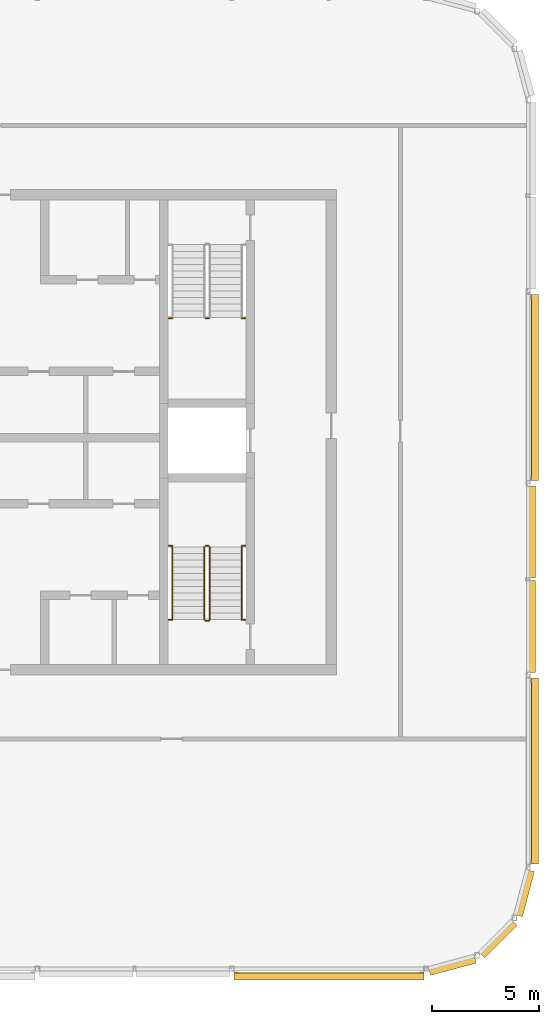
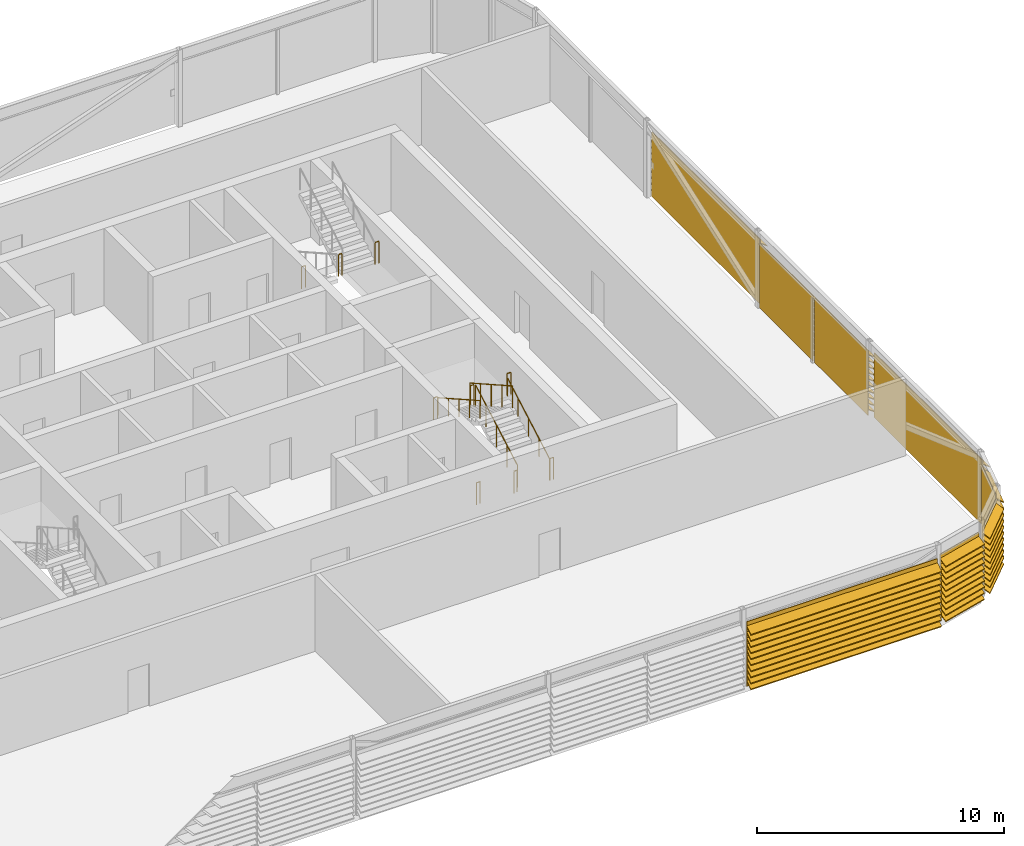
# One storey, part 26 of 28: 13 railings, 8 shading devices.
"""IFC4 building model written with IfcOpenShell, lengths in metres."""

from ifc_helpers import new_model, si_unit, direction, frame, origin, origin_2d, place, context, subcontext, project, spatial, polyline, circle, outline, extrude, material, type_object, element, save


model = new_model("IFC4")

# Units and contexts
model_context = context("Model", 3, precision=1e-05, world=origin(), true_north=direction((0.0, 1.0)))
body_context = subcontext(model_context, "Body", "Model", "MODEL_VIEW")
ifc_project = project(units=[si_unit("LENGTHUNIT", "METRE"), si_unit("AREAUNIT", "SQUARE_METRE"), si_unit("VOLUMEUNIT", "CUBIC_METRE"), si_unit("PLANEANGLEUNIT", "RADIAN"), si_unit("MASSUNIT", "GRAM", prefix="KILO")], contexts=[model_context])

# Site, building, storey
site_placement = place(None, origin())
site = spatial("IfcSite", under=ifc_project, at=site_placement, CompositionType="ELEMENT")
building_placement = place(site_placement, origin())
building = spatial("IfcBuilding", under=site, at=building_placement, Name="Madar Terraces", CompositionType="ELEMENT")
storey_placement = place(building_placement, frame((0.0, 0.0, 310.10009765625)))
storey = spatial("IfcBuildingStorey", under=building, at=storey_placement, Name="L80", CompositionType="ELEMENT", Elevation=310.10009765625)

# Shading devices
ifc_material_1 = material(Name="Aluminium, black anodised", Category="aluminium")
shading_device_type = type_object("IfcShadingDeviceType", Name="Crown louvre bank", PredefinedType="USERDEFINED", material=ifc_material_1)
shading_device_1_placement = place(storey_placement, frame((42.58154296875, 1.199951171875, 0.0), z_axis=(1.0, 0.0, 0.0), x_axis=(0.0, 1.0, 0.0)))
element("IfcShadingDevice", 1, at=shading_device_1_placement, inside=storey, type_object=shading_device_type, Name="LOUVRE bank L80 5.1", ObjectType="LOUVRE", PredefinedType="USERDEFINED", context=body_context, shape_type="SweptSolid", body=[
    extrude(outline(polyline([(-0.156982421875, 0.0), (-0.18701171875, 0.0), (-0.18701171875, 0.24951171875), (-0.5146484375, 0.02001953125), (-0.5146484375, 0.06884765625), (-0.18701171875, 0.29833984375), (-0.18701171875, 0.54931640625), (-0.5146484375, 0.320068359375), (-0.5146484375, 0.368896484375), (-0.18701171875, 0.59814453125), (-0.18701171875, 0.849365234375), (-0.5146484375, 0.6201171875), (-0.5146484375, 0.6689453125), (-0.18701171875, 0.898193359375), (-0.18701171875, 1.1494140625), (-0.5146484375, 0.919921875), (-0.5146484375, 0.96875), (-0.18701171875, 1.1982421875), (-0.18701171875, 1.449462890625), (-0.5146484375, 1.219970703125), (-0.5146484375, 1.268798828125), (-0.18701171875, 1.498291015625), (-0.18701171875, 1.74951171875), (-0.5146484375, 1.52001953125), (-0.5146484375, 1.56884765625), (-0.18701171875, 1.79833984375), (-0.18701171875, 2.04931640625), (-0.5146484375, 1.820068359375), (-0.5146484375, 1.868896484375), (-0.18701171875, 2.09814453125), (-0.18701171875, 2.349365234375), (-0.5146484375, 2.1201171875), (-0.5146484375, 2.1689453125), (-0.18701171875, 2.398193359375), (-0.18701171875, 2.6494140625), (-0.5146484375, 2.419921875), (-0.5146484375, 2.46875), (-0.18701171875, 2.6982421875), (-0.18701171875, 2.949462890625), (-0.5146484375, 2.719970703125), (-0.5146484375, 2.768798828125), (-0.18701171875, 2.998291015625), (-0.18701171875, 3.197998046875), (-0.156982421875, 3.197998046875), (-0.156982421875, 0.0)])), origin(), (0.0, 0.0, 1.0), 8.916748046875),
])
shading_device_2_placement = place(storey_placement, frame((51.7265625, 1.23388671875, 0.0), z_axis=(0.965935304808, 0.258783668197, 0.0), x_axis=(-0.258783668197, 0.965935304808, 0.0)))
element("IfcShadingDevice", 2, at=shading_device_2_placement, inside=storey, type_object=shading_device_type, Name="LOUVRE bank L80 6.1", ObjectType="LOUVRE", PredefinedType="USERDEFINED", context=body_context, shape_type="SweptSolid", body=[
    extrude(outline(polyline([(0.014892578125, 0.0), (-0.014892578125, 0.0), (-0.014892578125, 0.24951171875), (-0.3427734375, 0.02001953125), (-0.3427734375, 0.06884765625), (-0.014892578125, 0.29833984375), (-0.014892578125, 0.54931640625), (-0.3427734375, 0.320068359375), (-0.3427734375, 0.368896484375), (-0.014892578125, 0.59814453125), (-0.014892578125, 0.849365234375), (-0.3427734375, 0.6201171875), (-0.3427734375, 0.6689453125), (-0.014892578125, 0.898193359375), (-0.014892578125, 1.1494140625), (-0.3427734375, 0.919921875), (-0.3427734375, 0.96875), (-0.014892578125, 1.1982421875), (-0.014892578125, 1.449462890625), (-0.3427734375, 1.219970703125), (-0.3427734375, 1.268798828125), (-0.014892578125, 1.498291015625), (-0.014892578125, 1.74951171875), (-0.3427734375, 1.52001953125), (-0.3427734375, 1.56884765625), (-0.014892578125, 1.79833984375), (-0.014892578125, 2.04931640625), (-0.3427734375, 1.820068359375), (-0.3427734375, 1.868896484375), (-0.014892578125, 2.09814453125), (-0.014892578125, 2.349365234375), (-0.3427734375, 2.1201171875), (-0.3427734375, 2.1689453125), (-0.014892578125, 2.398193359375), (-0.014892578125, 2.6494140625), (-0.3427734375, 2.419921875), (-0.3427734375, 2.46875), (-0.014892578125, 2.6982421875), (-0.014892578125, 2.949462890625), (-0.3427734375, 2.719970703125), (-0.3427734375, 2.768798828125), (-0.014892578125, 2.998291015625), (-0.014892578125, 3.197998046875), (0.014892578125, 3.197998046875), (0.014892578125, 0.0)])), origin(), (0.0, 0.0, 1.0), 2.22265625),
])
shading_device_3_placement = place(storey_placement, frame((54.1142578125, 1.957275390625, 0.0), z_axis=(0.707106781187, 0.707106781187, 0.0), x_axis=(-0.707106781187, 0.707106781187, 0.0)))
element("IfcShadingDevice", 3, at=shading_device_3_placement, inside=storey, type_object=shading_device_type, Name="LOUVRE bank L80 7.1", ObjectType="LOUVRE", PredefinedType="USERDEFINED", context=body_context, shape_type="SweptSolid", body=[
    extrude(outline(polyline([(0.014892578125, 0.0), (-0.014892578125, 0.0), (-0.014892578125, 0.24951171875), (-0.3427734375, 0.02001953125), (-0.3427734375, 0.06884765625), (-0.014892578125, 0.29833984375), (-0.014892578125, 0.54931640625), (-0.3427734375, 0.320068359375), (-0.3427734375, 0.368896484375), (-0.014892578125, 0.59814453125), (-0.014892578125, 0.849365234375), (-0.3427734375, 0.6201171875), (-0.3427734375, 0.6689453125), (-0.014892578125, 0.898193359375), (-0.014892578125, 1.1494140625), (-0.3427734375, 0.919921875), (-0.3427734375, 0.96875), (-0.014892578125, 1.1982421875), (-0.014892578125, 1.449462890625), (-0.3427734375, 1.219970703125), (-0.3427734375, 1.268798828125), (-0.014892578125, 1.498291015625), (-0.014892578125, 1.74951171875), (-0.3427734375, 1.52001953125), (-0.3427734375, 1.56884765625), (-0.014892578125, 1.79833984375), (-0.014892578125, 2.04931640625), (-0.3427734375, 1.820068359375), (-0.3427734375, 1.868896484375), (-0.014892578125, 2.09814453125), (-0.014892578125, 2.349365234375), (-0.3427734375, 2.1201171875), (-0.3427734375, 2.1689453125), (-0.014892578125, 2.398193359375), (-0.014892578125, 2.6494140625), (-0.3427734375, 2.419921875), (-0.3427734375, 2.46875), (-0.014892578125, 2.6982421875), (-0.014892578125, 2.949462890625), (-0.3427734375, 2.719970703125), (-0.3427734375, 2.768798828125), (-0.014892578125, 2.998291015625), (-0.014892578125, 3.197998046875), (0.014892578125, 3.197998046875), (0.014892578125, 0.0)])), origin(), (0.0, 0.0, 1.0), 2.161376953125),
])
shading_device_4_placement = place(storey_placement, frame((55.79541015625, 3.743896484375, 0.0), z_axis=(0.258788169352, 0.965934098893, 0.0), x_axis=(-0.965934098893, 0.258788169352, 0.0)))
element("IfcShadingDevice", 4, at=shading_device_4_placement, inside=storey, type_object=shading_device_type, Name="LOUVRE bank L80 8.1", ObjectType="LOUVRE", PredefinedType="USERDEFINED", context=body_context, shape_type="SweptSolid", body=[
    extrude(outline(polyline([(0.014892578125, 0.0), (-0.014892578125, 0.0), (-0.014892578125, 0.24951171875), (-0.3427734375, 0.02001953125), (-0.3427734375, 0.06884765625), (-0.014892578125, 0.29833984375), (-0.014892578125, 0.54931640625), (-0.3427734375, 0.320068359375), (-0.3427734375, 0.368896484375), (-0.014892578125, 0.59814453125), (-0.014892578125, 0.849365234375), (-0.3427734375, 0.6201171875), (-0.3427734375, 0.6689453125), (-0.014892578125, 0.898193359375), (-0.014892578125, 1.1494140625), (-0.3427734375, 0.919921875), (-0.3427734375, 0.96875), (-0.014892578125, 1.1982421875), (-0.014892578125, 1.449462890625), (-0.3427734375, 1.219970703125), (-0.3427734375, 1.268798828125), (-0.014892578125, 1.498291015625), (-0.014892578125, 1.74951171875), (-0.3427734375, 1.52001953125), (-0.3427734375, 1.56884765625), (-0.014892578125, 1.79833984375), (-0.014892578125, 2.04931640625), (-0.3427734375, 1.820068359375), (-0.3427734375, 1.868896484375), (-0.014892578125, 2.09814453125), (-0.014892578125, 2.349365234375), (-0.3427734375, 2.1201171875), (-0.3427734375, 2.1689453125), (-0.014892578125, 2.398193359375), (-0.014892578125, 2.6494140625), (-0.3427734375, 2.419921875), (-0.3427734375, 2.46875), (-0.014892578125, 2.6982421875), (-0.014892578125, 2.949462890625), (-0.3427734375, 2.719970703125), (-0.3427734375, 2.768798828125), (-0.014892578125, 2.998291015625), (-0.014892578125, 3.197998046875), (0.014892578125, 3.197998046875), (0.014892578125, 0.0)])), origin(), (0.0, 0.0, 1.0), 2.186767578125),
])
shading_device_5_placement = place(storey_placement, frame((56.39990234375, 6.126953125, 0.0), z_axis=(0.0, 1.0, 0.0), x_axis=(-1.0, 0.0, 0.0)))
element("IfcShadingDevice", 5, at=shading_device_5_placement, inside=storey, type_object=shading_device_type, Name="LOUVRE bank L80 9.1", ObjectType="LOUVRE", PredefinedType="USERDEFINED", context=body_context, shape_type="SweptSolid", body=[
    extrude(outline(polyline([(-0.131591796875, 0.0), (-0.16162109375, 0.0), (-0.16162109375, 0.24951171875), (-0.4892578125, 0.02001953125), (-0.4892578125, 0.06884765625), (-0.16162109375, 0.29833984375), (-0.16162109375, 0.54931640625), (-0.4892578125, 0.320068359375), (-0.4892578125, 0.368896484375), (-0.16162109375, 0.59814453125), (-0.16162109375, 0.849365234375), (-0.4892578125, 0.6201171875), (-0.4892578125, 0.6689453125), (-0.16162109375, 0.898193359375), (-0.16162109375, 1.1494140625), (-0.4892578125, 0.919921875), (-0.4892578125, 0.96875), (-0.16162109375, 1.1982421875), (-0.16162109375, 1.449462890625), (-0.4892578125, 1.219970703125), (-0.4892578125, 1.268798828125), (-0.16162109375, 1.498291015625), (-0.16162109375, 1.74951171875), (-0.4892578125, 1.52001953125), (-0.4892578125, 1.56884765625), (-0.16162109375, 1.79833984375), (-0.16162109375, 2.04931640625), (-0.4892578125, 1.820068359375), (-0.4892578125, 1.868896484375), (-0.16162109375, 2.09814453125), (-0.16162109375, 2.349365234375), (-0.4892578125, 2.1201171875), (-0.4892578125, 2.1689453125), (-0.16162109375, 2.398193359375), (-0.16162109375, 2.6494140625), (-0.4892578125, 2.419921875), (-0.4892578125, 2.46875), (-0.16162109375, 2.6982421875), (-0.16162109375, 2.949462890625), (-0.4892578125, 2.719970703125), (-0.4892578125, 2.768798828125), (-0.16162109375, 2.998291015625), (-0.16162109375, 3.197998046875), (-0.131591796875, 3.197998046875), (-0.131591796875, 0.0)])), origin(), (0.0, 0.0, 1.0), 8.74609375),
])
for number, where, z_axis, x_axis, name in (
    (6, (56.39990234375, 15.126953125, 0.0), (0.0, 1.0, 0.0), (-1.0, 0.0, 0.0), "LOUVRE bank L80 10.1"),
    (7, (56.39990234375, 19.5634765625, 0.0), (0.0, 1.0, 0.0), (-1.0, 0.0, 0.0), "LOUVRE bank L80 10.2"),
):
    element("IfcShadingDevice", number, at=place(storey_placement, frame(where, z_axis=z_axis, x_axis=x_axis)), inside=storey, type_object=shading_device_type, Name=name, ObjectType="LOUVRE", PredefinedType="USERDEFINED", context=body_context, shape_type="SweptSolid", body=[
        extrude(outline(polyline([(0.014892578125, 0.0), (-0.014892578125, 0.0), (-0.014892578125, 0.24951171875), (-0.3427734375, 0.02001953125), (-0.3427734375, 0.06884765625), (-0.014892578125, 0.29833984375), (-0.014892578125, 0.54931640625), (-0.3427734375, 0.320068359375), (-0.3427734375, 0.368896484375), (-0.014892578125, 0.59814453125), (-0.014892578125, 0.849365234375), (-0.3427734375, 0.6201171875), (-0.3427734375, 0.6689453125), (-0.014892578125, 0.898193359375), (-0.014892578125, 1.1494140625), (-0.3427734375, 0.919921875), (-0.3427734375, 0.96875), (-0.014892578125, 1.1982421875), (-0.014892578125, 1.449462890625), (-0.3427734375, 1.219970703125), (-0.3427734375, 1.268798828125), (-0.014892578125, 1.498291015625), (-0.014892578125, 1.74951171875), (-0.3427734375, 1.52001953125), (-0.3427734375, 1.56884765625), (-0.014892578125, 1.79833984375), (-0.014892578125, 2.04931640625), (-0.3427734375, 1.820068359375), (-0.3427734375, 1.868896484375), (-0.014892578125, 2.09814453125), (-0.014892578125, 2.349365234375), (-0.3427734375, 2.1201171875), (-0.3427734375, 2.1689453125), (-0.014892578125, 2.398193359375), (-0.014892578125, 2.6494140625), (-0.3427734375, 2.419921875), (-0.3427734375, 2.46875), (-0.014892578125, 2.6982421875), (-0.014892578125, 2.949462890625), (-0.3427734375, 2.719970703125), (-0.3427734375, 2.768798828125), (-0.014892578125, 2.998291015625), (-0.014892578125, 3.197998046875), (0.014892578125, 3.197998046875), (0.014892578125, 0.0)])), origin(), (0.0, 0.0, 1.0), 4.3095703125),
    ])
shading_device_6_placement = place(storey_placement, frame((56.39990234375, 24.126953125, 0.0), z_axis=(0.0, 1.0, 0.0), x_axis=(-1.0, 0.0, 0.0)))
element("IfcShadingDevice", 8, at=shading_device_6_placement, inside=storey, type_object=shading_device_type, Name="LOUVRE bank L80 11.1", ObjectType="LOUVRE", PredefinedType="USERDEFINED", context=body_context, shape_type="SweptSolid", body=[
    extrude(outline(polyline([(-0.131591796875, 0.0), (-0.16162109375, 0.0), (-0.16162109375, 0.24951171875), (-0.4892578125, 0.02001953125), (-0.4892578125, 0.06884765625), (-0.16162109375, 0.29833984375), (-0.16162109375, 0.54931640625), (-0.4892578125, 0.320068359375), (-0.4892578125, 0.368896484375), (-0.16162109375, 0.59814453125), (-0.16162109375, 0.849365234375), (-0.4892578125, 0.6201171875), (-0.4892578125, 0.6689453125), (-0.16162109375, 0.898193359375), (-0.16162109375, 1.1494140625), (-0.4892578125, 0.919921875), (-0.4892578125, 0.96875), (-0.16162109375, 1.1982421875), (-0.16162109375, 1.449462890625), (-0.4892578125, 1.219970703125), (-0.4892578125, 1.268798828125), (-0.16162109375, 1.498291015625), (-0.16162109375, 1.74951171875), (-0.4892578125, 1.52001953125), (-0.4892578125, 1.56884765625), (-0.16162109375, 1.79833984375), (-0.16162109375, 2.04931640625), (-0.4892578125, 1.820068359375), (-0.4892578125, 1.868896484375), (-0.16162109375, 2.09814453125), (-0.16162109375, 2.349365234375), (-0.4892578125, 2.1201171875), (-0.4892578125, 2.1689453125), (-0.16162109375, 2.398193359375), (-0.16162109375, 2.6494140625), (-0.4892578125, 2.419921875), (-0.4892578125, 2.46875), (-0.16162109375, 2.6982421875), (-0.16162109375, 2.949462890625), (-0.4892578125, 2.719970703125), (-0.4892578125, 2.768798828125), (-0.16162109375, 2.998291015625), (-0.16162109375, 3.197998046875), (-0.131591796875, 3.197998046875), (-0.131591796875, 0.0)])), origin(), (0.0, 0.0, 1.0), 8.74609375),
])

# Railings
ifc_material_2 = material(Name="Stainless steel railing", Category="steel")
railing_type_1 = type_object("IfcRailingType", Name="Stair guard 1100", PredefinedType="GUARDRAIL", material=ifc_material_2)
railing_1_placement = place(storey_placement, frame((41.25, 31.739990234375, 2.099853515625)))
element("IfcRailing", 9, at=railing_1_placement, inside=storey, type_object=railing_type_1, Name="L80 ST2 stair guard 2", PredefinedType="GUARDRAIL", context=body_context, shape_type="SweptSolid", body=[
    extrude(circle(Radius=0.02392578125, at=origin_2d()), frame((0.0, 0.0, 1.076171875), z_axis=(1.0, 0.0, 0.0), x_axis=(0.0, 1.0, 0.0)), (0.0, 0.0, 1.0), 0.14990234375),
    extrude(circle(Radius=0.02099609375, at=origin_2d()), origin(), (0.0, 0.0, 1.0), 1.052001953125),
    extrude(circle(Radius=0.02099609375, at=origin_2d()), frame((0.14990234375, 0.0, 0.0)), (0.0, 0.0, 1.0), 1.052001953125),
])
railing_2_placement = place(storey_placement, frame((41.449951171875, 17.60009765625, 0.1748046875)))
element("IfcRailing", 10, at=railing_2_placement, inside=storey, type_object=railing_type_1, Name="L80 ST3 stair guard 1", PredefinedType="GUARDRAIL", context=body_context, shape_type="SweptSolid", body=[
    extrude(circle(Radius=0.02392578125, at=origin_2d()), frame((0.0, 0.0, 1.076171875), z_axis=(0.0, 0.87081354652, 0.491613432685), x_axis=(-1.0, 0.0, 0.0)), (0.0, 0.0, 1.0), 3.915771484375),
    extrude(circle(Radius=0.02099609375, at=origin_2d()), origin(), (0.0, 0.0, 1.0), 1.052001953125),
    extrude(circle(Radius=0.02099609375, at=origin_2d()), frame((0.0, 0.8525390625, 0.481201171875)), (0.0, 0.0, 1.0), 1.052001953125),
    extrude(circle(Radius=0.02099609375, at=origin_2d()), frame((0.0, 1.705078125, 0.96240234375)), (0.0, 0.0, 1.0), 1.052001953125),
    extrude(circle(Radius=0.02099609375, at=origin_2d()), frame((0.0, 2.557373046875, 1.44384765625)), (0.0, 0.0, 1.0), 1.052001953125),
    extrude(circle(Radius=0.02099609375, at=origin_2d()), frame((0.0, 3.409912109375, 1.925048828125)), (0.0, 0.0, 1.0), 1.052001953125),
])
railing_3_placement = place(storey_placement, frame((41.39990234375, 21.06005859375, 2.099853515625)))
element("IfcRailing", 11, at=railing_3_placement, inside=storey, type_object=railing_type_1, Name="L80 ST3 stair guard 2", PredefinedType="GUARDRAIL", context=body_context, shape_type="SweptSolid", body=[
    extrude(circle(Radius=0.02392578125, at=origin_2d()), frame((0.0, 0.0, 1.076171875), z_axis=(-1.0, 0.0, 0.0), x_axis=(0.0, -1.0, 0.0)), (0.0, 0.0, 1.0), 0.14990234375),
    extrude(circle(Radius=0.02099609375, at=origin_2d()), origin(), (0.0, 0.0, 1.0), 1.052001953125),
    extrude(circle(Radius=0.02099609375, at=origin_2d()), frame((-0.14990234375, 0.0, 0.0)), (0.0, 0.0, 1.0), 1.052001953125),
])
railing_4_placement = place(storey_placement, frame((41.199951171875, 21.010009765625, 2.27490234375)))
element("IfcRailing", 12, at=railing_4_placement, inside=storey, type_object=railing_type_1, Name="L80 ST3 stair guard 3", PredefinedType="GUARDRAIL", context=body_context, shape_type="SweptSolid", body=[
    extrude(circle(Radius=0.02392578125, at=origin_2d()), frame((0.0, 0.0, 1.076171875), z_axis=(0.0, -0.87081354652, 0.491613432685), x_axis=(1.0, 0.0, 0.0)), (0.0, 0.0, 1.0), 3.915771484375),
    extrude(circle(Radius=0.02099609375, at=origin_2d()), origin(), (0.0, 0.0, 1.0), 1.052001953125),
    extrude(circle(Radius=0.02099609375, at=origin_2d()), frame((0.0, -0.8525390625, 0.481201171875)), (0.0, 0.0, 1.0), 1.052001953125),
    extrude(circle(Radius=0.02099609375, at=origin_2d()), frame((0.0, -1.705078125, 0.96240234375)), (0.0, 0.0, 1.0), 1.052001953125),
    extrude(circle(Radius=0.02099609375, at=origin_2d()), frame((0.0, -2.557373046875, 1.44384765625)), (0.0, 0.0, 1.0), 1.052001953125),
    extrude(circle(Radius=0.02099609375, at=origin_2d()), frame((0.0, -3.409912109375, 1.925048828125)), (0.0, 0.0, 1.0), 1.052001953125),
])
railing_5_placement = place(storey_placement, frame((41.39990234375, 17.550048828125, 0.0)))
element("IfcRailing", 13, at=railing_5_placement, inside=storey, type_object=railing_type_1, Name="L80 ST3 stair guard 4", PredefinedType="GUARDRAIL", context=body_context, shape_type="SweptSolid", body=[
    extrude(circle(Radius=0.02392578125, at=origin_2d()), frame((0.0, 0.0, 1.076171875), z_axis=(-1.0, 0.0, 0.0), x_axis=(0.0, -1.0, 0.0)), (0.0, 0.0, 1.0), 0.14990234375),
    extrude(circle(Radius=0.02099609375, at=origin_2d()), origin(), (0.0, 0.0, 1.0), 1.052001953125),
    extrude(circle(Radius=0.02099609375, at=origin_2d()), frame((-0.14990234375, 0.0, 0.0)), (0.0, 0.0, 1.0), 1.052001953125),
])
for number, where, name in (
    (14, (39.52001953125, 31.739990234375, 2.099853515625), "L80 stair guard seat 1"),
    (15, (42.949951171875, 31.739990234375, 2.099853515625), "L80 stair guard seat 2"),
    (16, (39.52001953125, 21.06005859375, 2.099853515625), "L80 stair guard seat 1"),
    (17, (42.949951171875, 21.06005859375, 2.099853515625), "L80 stair guard seat 2"),
    (18, (39.52001953125, 17.60009765625, 0.0), "L80 stair guard floor 1"),
    (19, (42.949951171875, 17.60009765625, 0.0), "L80 stair guard floor 2"),
):
    element("IfcRailing", number, at=place(storey_placement, frame(where)), inside=storey, type_object=railing_type_1, Name=name, PredefinedType="GUARDRAIL", context=body_context, shape_type="SweptSolid", body=[
        extrude(circle(Radius=0.02392578125, at=origin_2d()), frame((0.0, 0.0, 1.076171875), z_axis=(1.0, 0.0, 0.0), x_axis=(0.0, 1.0, 0.0)), (0.0, 0.0, 1.0), 0.179931640625),
        extrude(circle(Radius=0.02099609375, at=origin_2d()), origin(), (0.0, 0.0, 1.0), 1.052001953125),
        extrude(circle(Radius=0.02099609375, at=origin_2d()), frame((0.179931640625, 0.0, 0.0)), (0.0, 0.0, 1.0), 1.052001953125),
    ])
ifc_material_3 = material(Name="Stainless steel railing", Category="steel")
railing_type_2 = type_object("IfcRailingType", Name="Stair handrail 900", PredefinedType="HANDRAIL", material=ifc_material_3)
railing_6_placement = place(storey_placement, frame((42.949951171875, 17.60009765625, 0.1748046875)))
element("IfcRailing", 20, at=railing_6_placement, inside=storey, type_object=railing_type_2, Name="L80 ST3 stair handrail 1", PredefinedType="HANDRAIL", context=body_context, shape_type="SweptSolid", body=[
    extrude(circle(Radius=0.02392578125, at=origin_2d()), frame((0.0, 0.0, 0.8759765625), z_axis=(0.0, 0.87081354652, 0.491613432685), x_axis=(-1.0, 0.0, 0.0)), (0.0, 0.0, 1.0), 3.915771484375),
    extrude(circle(Radius=0.02099609375, at=origin_2d()), origin(), (0.0, 0.0, 1.0), 0.851806640625),
    extrude(circle(Radius=0.02099609375, at=origin_2d()), frame((0.0, 0.8525390625, 0.481201171875)), (0.0, 0.0, 1.0), 0.851806640625),
    extrude(circle(Radius=0.02099609375, at=origin_2d()), frame((0.0, 1.705078125, 0.96240234375)), (0.0, 0.0, 1.0), 0.851806640625),
    extrude(circle(Radius=0.02099609375, at=origin_2d()), frame((0.0, 2.557373046875, 1.44384765625)), (0.0, 0.0, 1.0), 0.851806640625),
    extrude(circle(Radius=0.02099609375, at=origin_2d()), frame((0.0, 3.409912109375, 1.925048828125)), (0.0, 0.0, 1.0), 0.851806640625),
])
railing_7_placement = place(storey_placement, frame((39.699951171875, 21.010009765625, 2.27490234375)))
element("IfcRailing", 21, at=railing_7_placement, inside=storey, type_object=railing_type_2, Name="L80 ST3 stair handrail 2", PredefinedType="HANDRAIL", context=body_context, shape_type="SweptSolid", body=[
    extrude(circle(Radius=0.02392578125, at=origin_2d()), frame((0.0, 0.0, 0.8759765625), z_axis=(0.0, -0.87081354652, 0.491613432685), x_axis=(1.0, 0.0, 0.0)), (0.0, 0.0, 1.0), 3.915771484375),
    extrude(circle(Radius=0.02099609375, at=origin_2d()), origin(), (0.0, 0.0, 1.0), 0.851806640625),
    extrude(circle(Radius=0.02099609375, at=origin_2d()), frame((0.0, -0.8525390625, 0.481201171875)), (0.0, 0.0, 1.0), 0.851806640625),
    extrude(circle(Radius=0.02099609375, at=origin_2d()), frame((0.0, -1.705078125, 0.96240234375)), (0.0, 0.0, 1.0), 0.851806640625),
    extrude(circle(Radius=0.02099609375, at=origin_2d()), frame((0.0, -2.557373046875, 1.44384765625)), (0.0, 0.0, 1.0), 0.851806640625),
    extrude(circle(Radius=0.02099609375, at=origin_2d()), frame((0.0, -3.409912109375, 1.925048828125)), (0.0, 0.0, 1.0), 0.851806640625),
])

save(model, "model.ifc")
